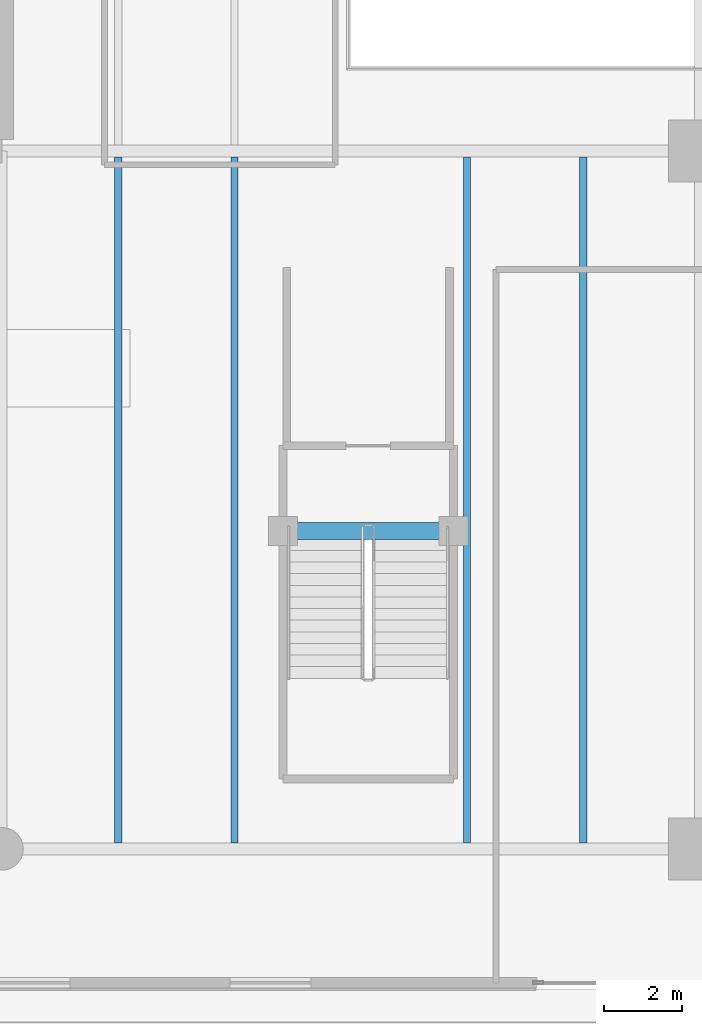
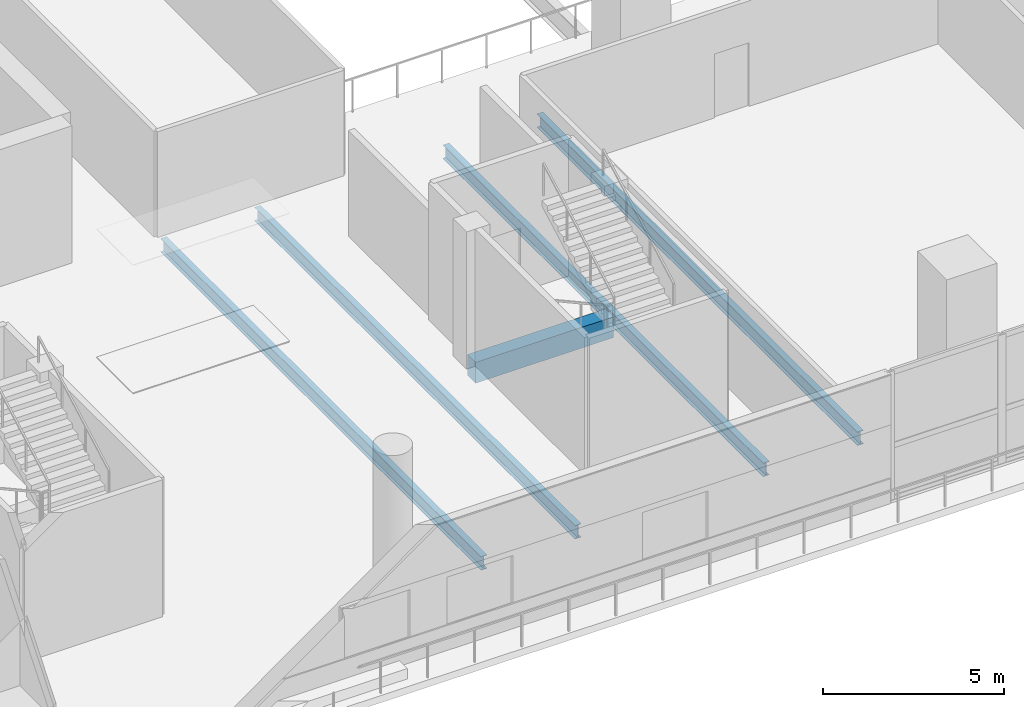
# One storey, part 3 of 27: 5 beams.
"""IFC4 building model written with IfcOpenShell, lengths in metres."""

from ifc_helpers import new_model, si_unit, direction, frame, origin, origin_2d, place, context, subcontext, project, spatial, rectangle, i_section, extrude, material, material_profile, profile_set, type_object, element, save


model = new_model("IFC4")

# Units and contexts
model_context = context("Model", 3, precision=1e-05, world=origin(), true_north=direction((0.0, 1.0)))
body_context = subcontext(model_context, "Body", "Model", "MODEL_VIEW")
ifc_project = project(units=[si_unit("LENGTHUNIT", "METRE"), si_unit("AREAUNIT", "SQUARE_METRE"), si_unit("VOLUMEUNIT", "CUBIC_METRE"), si_unit("PLANEANGLEUNIT", "RADIAN"), si_unit("MASSUNIT", "GRAM", prefix="KILO")], contexts=[model_context])

# Site, building, storey
site_placement = place(None, origin())
site = spatial("IfcSite", under=ifc_project, at=site_placement, CompositionType="ELEMENT")
building_placement = place(site_placement, origin())
building = spatial("IfcBuilding", under=site, at=building_placement, Name="Tanjung Sevakor Pilgrim Tower", CompositionType="ELEMENT")
storey_placement = place(building_placement, frame((0.0, 0.0, 14.85009765625)))
storey = spatial("IfcBuildingStorey", under=building, at=storey_placement, Name="L04", CompositionType="ELEMENT", Elevation=14.85009765625)

# Beams
ifc_material_1 = material(Name="Steel S355J2", Category="steel")
ifc_material_profile_1 = material_profile(ifc_material_1, i_section(OverallWidth=0.19140625, OverallDepth=0.4599609375, WebThickness=0.010009765625, FlangeThickness=0.01611328125, FilletRadius=0.01025390625, at=origin_2d()))
ifc_profile_set_1 = profile_set([ifc_material_profile_1], Name="Steel S355J2")
beam_type_1 = type_object("IfcBeamType", Name="BM-B-J2-UB_457x191x82", PredefinedType="JOIST", material=ifc_profile_set_1)
for number, where, z_axis, x_axis, name in (
    (1, (39.0, 6.75341796875, -0.510009765625), (0.0, 1.0, 0.0), (-1.0, 0.0, 0.0), "L04 Secondary Joist 014"),
    (2, (42.0, 6.75341796875, -0.510009765625), (0.0, 1.0, 0.0), (-1.0, 0.0, 0.0), "L04 Secondary Joist 017"),
    (3, (48.0, 6.75341796875, -0.510009765625), (0.0, 1.0, 0.0), (-1.0, 0.0, 0.0), "L04 Secondary Joist 021"),
    (4, (51.0, 6.75341796875, -0.510009765625), (0.0, 1.0, 0.0), (-1.0, 0.0, 0.0), "L04 Secondary Joist 023"),
):
    element("IfcBeam", number, at=place(storey_placement, frame(where, z_axis=z_axis, x_axis=x_axis)), inside=storey, type_object=beam_type_1, Name=name, PredefinedType="JOIST", context=body_context, shape_type="SweptSolid", body=[
        extrude(i_section(OverallWidth=0.19140625, OverallDepth=0.4599609375, WebThickness=0.010009765625, FlangeThickness=0.01611328125, FilletRadius=0.01025390625, at=origin_2d()), origin(), (0.0, 0.0, 1.0), 17.693115234375),
    ])
ifc_material_2 = material(Name="Concrete C60/75", Category="concrete")
ifc_material_profile_2 = material_profile(ifc_material_2, rectangle(XDim=0.449951171875, YDim=0.699951171875, at=origin_2d()))
ifc_profile_set_2 = profile_set([ifc_material_profile_2], Name="Concrete C60/75")
beam_type_2 = type_object("IfcBeamType", Name="BM-B-LN3-RC-BM_450x700", PredefinedType="LINTEL", material=ifc_profile_set_2)
beam_placement = place(storey_placement, frame((43.25, 14.800048828125, -0.35009765625), z_axis=(1.0, 0.0, 0.0), x_axis=(0.0, 1.0, 0.0)))
element("IfcBeam", 5, at=beam_placement, inside=storey, type_object=beam_type_2, Name="L04 PS-3 Stair Threshold Beam", PredefinedType="LINTEL", context=body_context, shape_type="SweptSolid", body=[
    extrude(rectangle(XDim=0.449951171875, YDim=0.699951171875, at=origin_2d()), origin(), (0.0, 0.0, 1.0), 4.39990234375),
])

save(model, "model.ifc")
